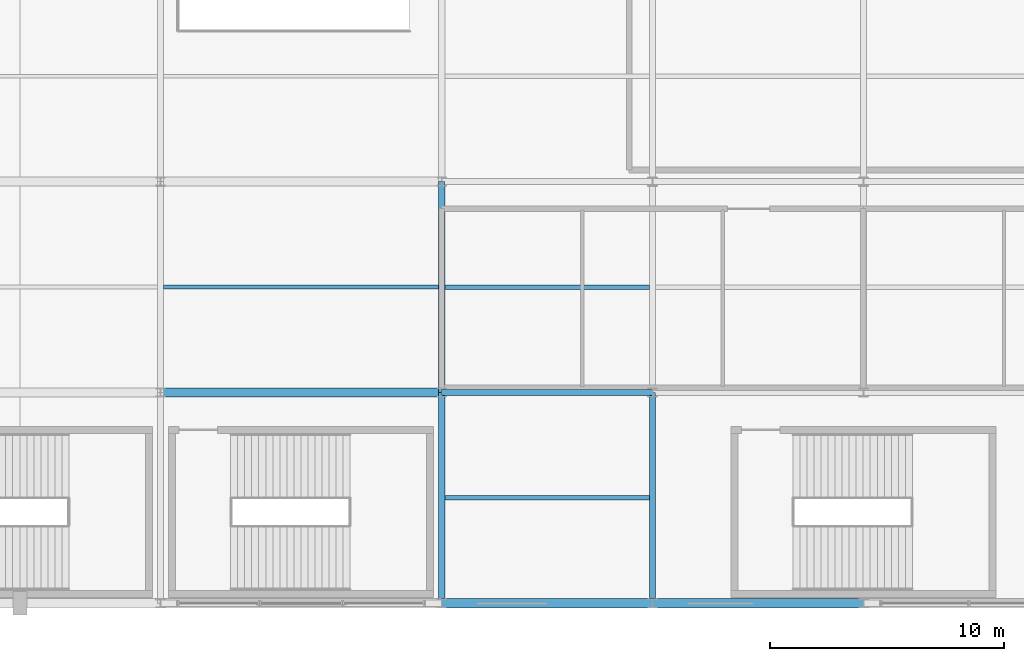
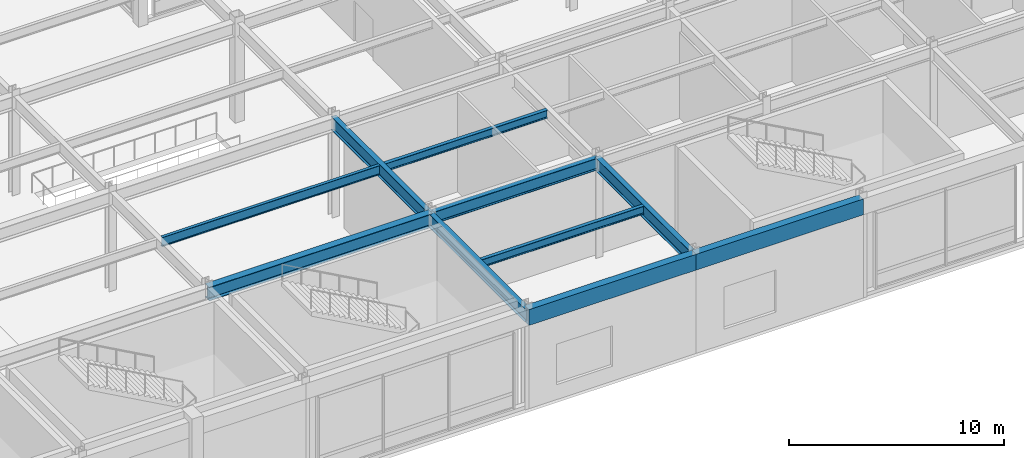
# One storey, part 48 of 108: 10 beams.
"""IFC4 building model written with IfcOpenShell, lengths in metres."""

from ifc_helpers import new_model, si_unit, direction, frame, origin, origin_2d, place, context, subcontext, project, spatial, rectangle, i_section, extrude, material, material_profile, profile_set, type_object, element, save


model = new_model("IFC4")

# Units and contexts
model_context = context("Model", 3, precision=1e-05, world=origin(), true_north=direction((0.0, 1.0)))
body_context = subcontext(model_context, "Body", "Model", "MODEL_VIEW")
ifc_project = project(units=[si_unit("LENGTHUNIT", "METRE"), si_unit("AREAUNIT", "SQUARE_METRE"), si_unit("VOLUMEUNIT", "CUBIC_METRE"), si_unit("PLANEANGLEUNIT", "RADIAN"), si_unit("MASSUNIT", "GRAM", prefix="KILO")], contexts=[model_context])

# Site, building, storey
site_placement = place(None, origin())
site = spatial("IfcSite", under=ifc_project, at=site_placement, CompositionType="ELEMENT")
building_placement = place(site_placement, origin())
building = spatial("IfcBuilding", under=site, at=building_placement, Name="Kaldorvane Square Convention Centre", CompositionType="ELEMENT")
storey_placement = place(building_placement, frame((0.0, 0.0, 12.0)))
storey = spatial("IfcBuildingStorey", under=building, at=storey_placement, Name="L02", CompositionType="ELEMENT", Elevation=12.0)

# Beams
ifc_material_1 = material(Name="Steel ASTM A992 Gr. 50", Category="steel")
ifc_material_profile_1 = material_profile(ifc_material_1, i_section(OverallWidth=0.25439453125, OverallDepth=0.6880950927734375, WebThickness=0.0131072998046875, FlangeThickness=0.0211029052734375, FilletRadius=0.01519775390625, at=origin_2d()), Name="W27X102")
ifc_profile_set_1 = profile_set([ifc_material_profile_1], Name="Steel ASTM A992 Gr. 50")
beam_type_1 = type_object("IfcBeamType", Name="BM-GR-W27X102", PredefinedType="BEAM", material=ifc_profile_set_1)
beam_1_placement = place(storey_placement, frame((138.0, 9.0, 5.3018951416015625), z_axis=(1.0, 0.0, 0.0), x_axis=(0.0, 1.0, 0.0)))
element("IfcBeam", 1, at=beam_1_placement, inside=storey, type_object=beam_type_1, Name="Primary Girder (L02)", PredefinedType="BEAM", context=body_context, shape_type="SweptSolid", body=[
    extrude(i_section(OverallWidth=0.25439453125, OverallDepth=0.6880950927734375, WebThickness=0.0131072998046875, FlangeThickness=0.0211029052734375, FilletRadius=0.01519775390625, at=origin_2d()), origin(), (0.0, 0.0, 1.0), 9.0),
])
ifc_material_profile_2 = material_profile(ifc_material_1, i_section(OverallWidth=0.2666015625, OverallDepth=0.762298583984375, WebThickness=0.014404296875, FlangeThickness=0.0216064453125, FilletRadius=0.0164947509765625, at=origin_2d()), Name="W30X116")
ifc_profile_set_2 = profile_set([ifc_material_profile_2], Name="Steel ASTM A992 Gr. 50")
beam_type_2 = type_object("IfcBeamType", Name="BM-GR-W30X116", PredefinedType="BEAM", material=ifc_profile_set_2)
for number, where, z_axis, x_axis, name in (
    (2, (138.0, 0.0, 5.264801025390625), (0.0, 1.0, 0.0), (-1.0, 0.0, 0.0), "Transverse Girder (L02)"),
    (3, (138.0, 9.0, 5.264801025390625), (0.0, 1.0, 0.0), (-1.0, 0.0, 0.0), "Transverse Girder (L02)"),
    (4, (147.0, 0.0, 5.264801025390625), (0.0, 1.0, 0.0), (-1.0, 0.0, 0.0), "Transverse Girder (L02)"),
):
    element("IfcBeam", number, at=place(storey_placement, frame(where, z_axis=z_axis, x_axis=x_axis)), inside=storey, type_object=beam_type_2, Name=name, PredefinedType="BEAM", context=body_context, shape_type="SweptSolid", body=[
        extrude(i_section(OverallWidth=0.2666015625, OverallDepth=0.762298583984375, WebThickness=0.014404296875, FlangeThickness=0.0216064453125, FilletRadius=0.0164947509765625, at=origin_2d()), origin(), (0.0, 0.0, 1.0), 9.0),
    ])
ifc_material_profile_3 = material_profile(ifc_material_1, i_section(OverallWidth=0.380706787109375, OverallDepth=0.773193359375, WebThickness=0.0166015625, FlangeThickness=0.027099609375, FilletRadius=0.0164947509765625, at=origin_2d()), Name="W30X173")
ifc_profile_set_3 = profile_set([ifc_material_profile_3], Name="Steel ASTM A992 Gr. 50")
beam_type_3 = type_object("IfcBeamType", Name="BM-GR-W30X173", PredefinedType="BEAM", material=ifc_profile_set_3)
beam_2_placement = place(storey_placement, frame((126.0, 9.0, 5.2593994140625), z_axis=(1.0, 0.0, 0.0), x_axis=(0.0, 1.0, 0.0)))
element("IfcBeam", 5, at=beam_2_placement, inside=storey, type_object=beam_type_3, Name="Primary Girder (L02)", PredefinedType="BEAM", context=body_context, shape_type="SweptSolid", body=[
    extrude(i_section(OverallWidth=0.380706787109375, OverallDepth=0.773193359375, WebThickness=0.0166015625, FlangeThickness=0.027099609375, FilletRadius=0.0164947509765625, at=origin_2d()), origin(), (0.0, 0.0, 1.0), 12.0),
])
ifc_material_profile_4 = material_profile(ifc_material_1, i_section(OverallWidth=0.1912994384765625, OverallDepth=0.4600067138671875, WebThickness=0.0099029541015625, FlangeThickness=0.0160064697265625, FilletRadius=0.01019287109375, at=origin_2d()), Name="W18X55")
ifc_profile_set_4 = profile_set([ifc_material_profile_4], Name="Steel ASTM A992 Gr. 50")
beam_type_4 = type_object("IfcBeamType", Name="BM-JS-W18X55", PredefinedType="JOIST", material=ifc_profile_set_4)
for number, where, z_axis, x_axis, name in (
    (6, (138.13330078125, 4.5, 5.4160003662109375), (1.0, 0.0, 0.0), (0.0, 1.0, 0.0), "Secondary Floor Joist (L02)"),
    (7, (138.13330078125, 13.5, 5.4160003662109375), (1.0, 0.0, 0.0), (0.0, 1.0, 0.0), "Secondary Floor Joist (L02)"),
):
    element("IfcBeam", number, at=place(storey_placement, frame(where, z_axis=z_axis, x_axis=x_axis)), inside=storey, type_object=beam_type_4, Name=name, PredefinedType="JOIST", context=body_context, shape_type="SweptSolid", body=[
        extrude(i_section(OverallWidth=0.1912994384765625, OverallDepth=0.4600067138671875, WebThickness=0.0099029541015625, FlangeThickness=0.0160064697265625, FilletRadius=0.01019287109375, at=origin_2d()), origin(), (0.0, 0.0, 1.0), 8.7333984375),
    ])
ifc_material_profile_5 = material_profile(ifc_material_1, i_section(OverallWidth=0.1658935546875, OverallDepth=0.5290985107421875, WebThickness=0.00970458984375, FlangeThickness=0.0135955810546875, FilletRadius=0.0126953125, at=origin_2d()), Name="W21X50")
ifc_profile_set_5 = profile_set([ifc_material_profile_5], Name="Steel ASTM A992 Gr. 50")
beam_type_5 = type_object("IfcBeamType", Name="BM-JS-W21X50", PredefinedType="JOIST", material=ifc_profile_set_5)
beam_3_placement = place(storey_placement, frame((126.13330078125, 13.5, 5.3813934326171875), z_axis=(1.0, 0.0, 0.0), x_axis=(0.0, 1.0, 0.0)))
element("IfcBeam", 8, at=beam_3_placement, inside=storey, type_object=beam_type_5, Name="Secondary Floor Joist (L02)", PredefinedType="JOIST", context=body_context, shape_type="SweptSolid", body=[
    extrude(i_section(OverallWidth=0.1658935546875, OverallDepth=0.5290985107421875, WebThickness=0.00970458984375, FlangeThickness=0.0135955810546875, FilletRadius=0.0126953125, at=origin_2d()), origin(), (0.0, 0.0, 1.0), 11.7333984375),
])
ifc_material_2 = material(Name="Concrete f'c = 42 MPa (Normalweight)", Category="concrete")
ifc_material_profile_6 = material_profile(ifc_material_2, rectangle(XDim=0.399993896484375, YDim=0.899993896484375, at=origin_2d()), Name="RCSP900X400")
ifc_profile_set_6 = profile_set([ifc_material_profile_6], Name="Concrete f'c = 42 MPa (Normalweight)")
beam_type_6 = type_object("IfcBeamType", Name="BM-SP-RC900", PredefinedType="SPANDREL", material=ifc_profile_set_6)
for number, where, z_axis, x_axis, name in (
    (9, (138.0, 0.0, 5.1959991455078125), (1.0, 0.0, 0.0), (0.0, 1.0, 0.0), "Perimeter Spandrel (L02)"),
    (10, (147.0, 0.0, 5.1959991455078125), (1.0, 0.0, 0.0), (0.0, 1.0, 0.0), "Perimeter Spandrel (L02)"),
):
    element("IfcBeam", number, at=place(storey_placement, frame(where, z_axis=z_axis, x_axis=x_axis)), inside=storey, type_object=beam_type_6, Name=name, PredefinedType="SPANDREL", context=body_context, shape_type="SweptSolid", body=[
        extrude(rectangle(XDim=0.399993896484375, YDim=0.899993896484375, at=origin_2d()), origin(), (0.0, 0.0, 1.0), 9.0),
    ])

save(model, "model.ifc")
